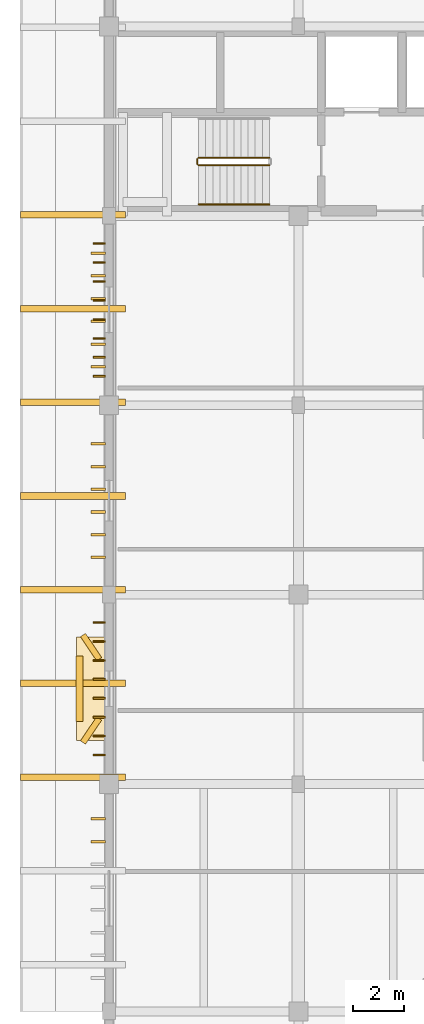
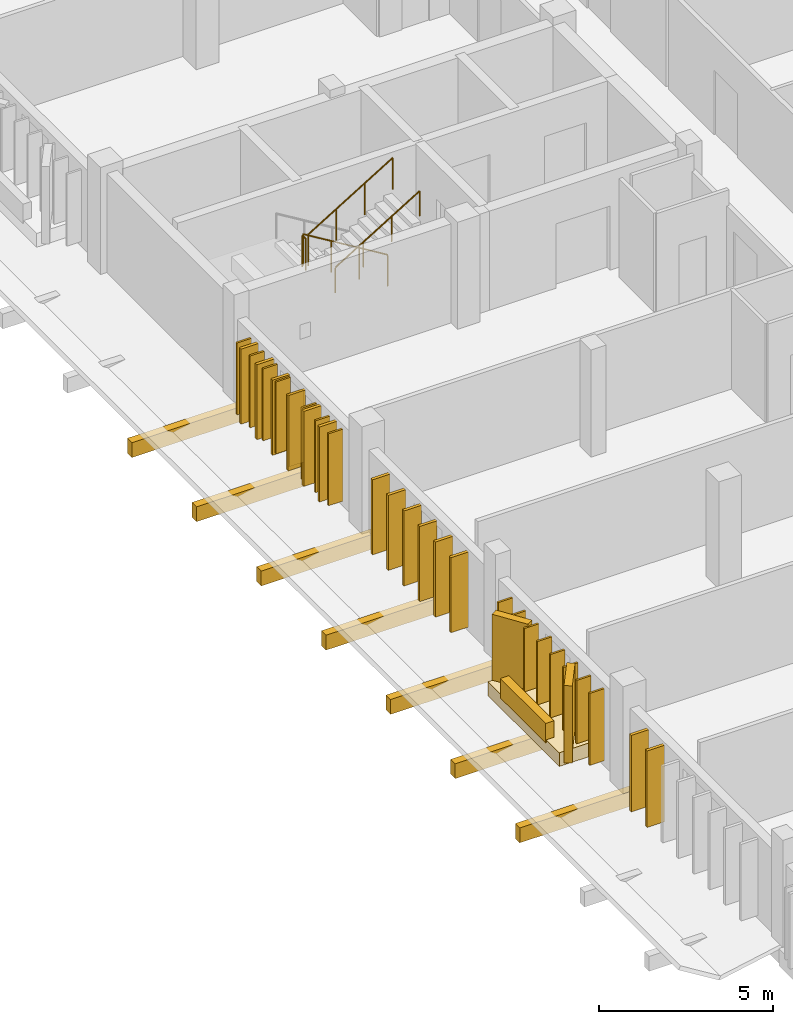
# One storey, part 30 of 43: 25 coverings, 16 shading devices, 4 railings.
"""IFC4 building model written with IfcOpenShell, lengths in metres."""

from ifc_helpers import new_model, si_unit, direction, frame, origin, origin_2d, place, context, subcontext, project, spatial, rectangle, circle, extrude, material, layer, layer_set, type_object, element, save


model = new_model("IFC4")

# Units and contexts
model_context = context("Model", 3, precision=1e-05, world=origin(), true_north=direction((0.0, 1.0)))
body_context = subcontext(model_context, "Body", "Model", "MODEL_VIEW")
ifc_project = project(units=[si_unit("LENGTHUNIT", "METRE"), si_unit("AREAUNIT", "SQUARE_METRE"), si_unit("VOLUMEUNIT", "CUBIC_METRE"), si_unit("PLANEANGLEUNIT", "RADIAN"), si_unit("MASSUNIT", "GRAM", prefix="KILO")], contexts=[model_context])

# Site, building, storey
site_placement = place(None, origin())
site = spatial("IfcSite", under=ifc_project, at=site_placement, CompositionType="ELEMENT")
building_placement = place(site_placement, origin())
building = spatial("IfcBuilding", under=site, at=building_placement, Name="Dalvernix Boulevard General Hospital", CompositionType="ELEMENT")
storey_placement = place(building_placement, frame((0.0, 0.0, 14.10009765625)))
storey = spatial("IfcBuildingStorey", under=building, at=storey_placement, Name="L03", CompositionType="ELEMENT", Elevation=14.10009765625)

# Coverings
ifc_material_1 = material(Name="Polychrome glazed Catalan trencadis ceramic faceted bay spandrel")
ifc_layer_1 = layer(ifc_material_1, 0.280029296875)
ifc_layer_set_1 = layer_set([ifc_layer_1], Name="Polychrome glazed Catalan trencadis ceramic faceted bay spandrel (COV-BAY-01)")
covering_type_1 = type_object("IfcCoveringType", Name="COV-BAY-01", PredefinedType="CLADDING", material=ifc_layer_set_1)
covering_1_placement = place(storey_placement, frame((-1.159912109375, 35.27490234375, 0.3798828125), z_axis=(0.0, 0.0, 1.0), x_axis=(0.0, 1.0, 0.0)))
element("IfcCovering", 1, at=covering_1_placement, inside=storey, type_object=covering_type_1, Name="L03 projecting faceted trencadis bay spandrel W 0-4", PredefinedType="CLADDING", context=body_context, shape_type="SweptSolid", body=[
    extrude(rectangle(XDim=2.60009765625, YDim=0.280029296875, at=origin_2d()), origin(), (0.0, 0.0, 1.0), 0.679931640625),
])
for number, where, z_axis, x_axis, name in (
    (2, (-0.7099609375, 33.625, 0.079833984375), (0.0, 0.0, 1.0), (0.559192903471, 0.829037572555, 0.0), "L03 projecting faceted Catalan bay cheek W 0-4-L"),
    (3, (-0.7099609375, 36.925048828125, 0.079833984375), (0.0, 0.0, 1.0), (-0.559192903471, 0.829037572555, 0.0), "L03 projecting faceted Catalan bay cheek W 0-4-R"),
):
    element("IfcCovering", number, at=place(storey_placement, frame(where, z_axis=z_axis, x_axis=x_axis)), inside=storey, type_object=covering_type_1, Name=name, PredefinedType="CLADDING", context=body_context, shape_type="SweptSolid", body=[
        extrude(rectangle(XDim=1.14990234375, YDim=0.239990234375, at=origin_2d()), origin(), (0.0, 0.0, 1.0), 2.7099609375),
    ])
ifc_material_2 = material(Name="Dressed ochre limestone classical plinth, stringcourse and corbelled cornice", Category="masonry")
ifc_layer_2 = layer(ifc_material_2, 0.449951171875)
ifc_layer_set_2 = layer_set([ifc_layer_2], Name="Dressed ochre limestone classical plinth, stringcourse and corbelled cornice (COV-CRN-01)")
covering_type_2 = type_object("IfcCoveringType", Name="COV-CRN-01", PredefinedType="CLADDING", material=ifc_layer_set_2)
covering_2_placement = place(storey_placement, frame((-0.705078125, 35.27490234375, 0.0), z_axis=(0.0, 0.0, 1.0), x_axis=(0.0, 1.0, 0.0)))
element("IfcCovering", 4, at=covering_2_placement, inside=storey, type_object=covering_type_2, Name="L03 projecting Catalan bay corbel base W 0-4", PredefinedType="CLADDING", context=body_context, shape_type="SweptSolid", body=[
    extrude(rectangle(XDim=4.10009765625, YDim=1.14990234375, at=origin_2d()), origin(), (0.0, 0.0, 1.0), 0.47998046875),
])
ifc_material_3 = material(Name="Terracotta-clad iroko timber brise-soleil sun-breaker fin", Category="masonry")
ifc_layer_3 = layer(ifc_material_3, 0.10009765625)
ifc_layer_set_3 = layer_set([ifc_layer_3], Name="Terracotta-clad iroko timber brise-soleil sun-breaker fin (COV-FIN-02)")
covering_type_3 = type_object("IfcCoveringType", Name="COV-FIN-02", PredefinedType="CLADDING", material=ifc_layer_set_3)
for number, where, z_axis, x_axis, name in (
    (5, (-0.419921875, 29.22509765625, 0.1201171875), (0.0, 0.0, 1.0), (0.0, 1.0, 0.0), "L03 terracotta brise-soleil fin W 0-3-7"),
    (6, (-0.419921875, 30.125, 0.1201171875), (0.0, 0.0, 1.0), (0.0, 1.0, 0.0), "L03 terracotta brise-soleil fin W 0-3-8"),
):
    element("IfcCovering", number, at=place(storey_placement, frame(where, z_axis=z_axis, x_axis=x_axis)), inside=storey, type_object=covering_type_3, Name=name, PredefinedType="CLADDING", context=body_context, shape_type="SweptSolid", body=[
        extrude(rectangle(XDim=0.10009765625, YDim=0.580078125, at=origin_2d()), origin(), (0.0, 0.0, 1.0), 2.679931640625),
    ])
for number, where, z_axis, x_axis, name in (
    (7, (-0.419921875, 40.47509765625, 0.119873046875), (0.0, 0.0, 1.0), (0.0, 1.0, 0.0), "L03 terracotta brise-soleil fin W 0-5-1"),
    (8, (-0.419921875, 41.375, 0.119873046875), (0.0, 0.0, 1.0), (0.0, 1.0, 0.0), "L03 terracotta brise-soleil fin W 0-5-2"),
    (9, (-0.419921875, 42.27490234375, 0.119873046875), (0.0, 0.0, 1.0), (0.0, 1.0, 0.0), "L03 terracotta brise-soleil fin W 0-5-3"),
    (10, (-0.419921875, 43.175048828125, 0.119873046875), (0.0, 0.0, 1.0), (0.0, 1.0, 0.0), "L03 terracotta brise-soleil fin W 0-5-4"),
    (11, (-0.419921875, 44.074951171875, 0.119873046875), (0.0, 0.0, 1.0), (0.0, 1.0, 0.0), "L03 terracotta brise-soleil fin W 0-5-5"),
    (12, (-0.419921875, 44.97509765625, 0.119873046875), (0.0, 0.0, 1.0), (0.0, 1.0, 0.0), "L03 terracotta brise-soleil fin W 0-5-6"),
    (13, (-0.419921875, 48.02490234375, 0.119873046875), (0.0, 0.0, 1.0), (0.0, 1.0, 0.0), "L03 terracotta brise-soleil fin W 0-6-1"),
    (14, (-0.419921875, 48.925048828125, 0.119873046875), (0.0, 0.0, 1.0), (0.0, 1.0, 0.0), "L03 terracotta brise-soleil fin W 0-6-2"),
    (15, (-0.419921875, 49.824951171875, 0.119873046875), (0.0, 0.0, 1.0), (0.0, 1.0, 0.0), "L03 terracotta brise-soleil fin W 0-6-3"),
    (16, (-0.419921875, 50.72509765625, 0.119873046875), (0.0, 0.0, 1.0), (0.0, 1.0, 0.0), "L03 terracotta brise-soleil fin W 0-6-4"),
    (17, (-0.419921875, 51.625, 0.119873046875), (0.0, 0.0, 1.0), (0.0, 1.0, 0.0), "L03 terracotta brise-soleil fin W 0-6-5"),
    (18, (-0.419921875, 52.52490234375, 0.119873046875), (0.0, 0.0, 1.0), (0.0, 1.0, 0.0), "L03 terracotta brise-soleil fin W 0-6-6"),
):
    element("IfcCovering", number, at=place(storey_placement, frame(where, z_axis=z_axis, x_axis=x_axis)), inside=storey, type_object=covering_type_3, Name=name, PredefinedType="CLADDING", context=body_context, shape_type="SweptSolid", body=[
        extrude(rectangle(XDim=0.10009765625, YDim=0.580078125, at=origin_2d()), origin(), (0.0, 0.0, 1.0), 2.6298828125),
    ])
ifc_material_4 = material(Name="Preservative-treated glulam GL28h eave outlooker corbel bracket", Category="wood")
ifc_layer_4 = layer(ifc_material_4, 0.239990234375)
ifc_layer_set_4 = layer_set([ifc_layer_4], Name="Preservative-treated glulam GL28h eave outlooker corbel bracket (COV-OUTLOOK-01)")
covering_type_4 = type_object("IfcCoveringType", Name="COV-OUTLOOK-01", PredefinedType="CLADDING", material=ifc_layer_set_4)
for number, where, z_axis, x_axis, name in (
    (19, (-1.425048828125, 31.7763671875, -0.940185546875), (0.0, 0.0, 1.0), (1.0, 0.0, 0.0), "TIER-V4-WEST glulam eave outlooker corbel W-3"),
    (20, (-1.425048828125, 35.48681640625, -0.940185546875), (0.0, 0.0, 1.0), (1.0, 0.0, 0.0), "TIER-V4-WEST glulam eave outlooker corbel W-4"),
    (21, (-1.425048828125, 39.197509765625, -0.940185546875), (0.0, 0.0, 1.0), (1.0, 0.0, 0.0), "TIER-V4-WEST glulam eave outlooker corbel W-5"),
    (22, (-1.425048828125, 42.907958984375, -0.940185546875), (0.0, 0.0, 1.0), (1.0, 0.0, 0.0), "TIER-V4-WEST glulam eave outlooker corbel W-6"),
    (23, (-1.425048828125, 46.618408203125, -0.940185546875), (0.0, 0.0, 1.0), (1.0, 0.0, 0.0), "TIER-V4-WEST glulam eave outlooker corbel W-7"),
    (24, (-1.425048828125, 50.328857421875, -0.940185546875), (0.0, 0.0, 1.0), (1.0, 0.0, 0.0), "TIER-V4-WEST glulam eave outlooker corbel W-8"),
    (25, (-1.425048828125, 54.03955078125, -0.940185546875), (0.0, 0.0, 1.0), (1.0, 0.0, 0.0), "TIER-V4-WEST glulam eave outlooker corbel W-9"),
):
    element("IfcCovering", number, at=place(storey_placement, frame(where, z_axis=z_axis, x_axis=x_axis)), inside=storey, type_object=covering_type_4, Name=name, PredefinedType="CLADDING", context=body_context, shape_type="SweptSolid", body=[
        extrude(rectangle(XDim=4.14990234375, YDim=0.260009765625, at=origin_2d()), origin(), (0.0, 0.0, 1.0), 0.52001953125),
    ])

# Railings
ifc_material_5 = material(Name="Brushed stainless steel balustrade", Category="steel")
railing_type_1 = type_object("IfcRailingType", Name="RL-GR-INT1", PredefinedType="BALUSTRADE", material=ifc_material_5)
railing_1_placement = place(storey_placement, frame((6.35009765625, 56.300048828125, 0.17041015625)))
element("IfcRailing", 26, at=railing_1_placement, inside=storey, type_object=railing_type_1, Name="L03 ST-02 stair guard 1", PredefinedType="BALUSTRADE", context=body_context, shape_type="SweptSolid", body=[
    extrude(circle(Radius=0.02392578125, at=origin_2d()), frame((0.0, 0.0, 1.09619140625), z_axis=(-0.854169791009, 0.0, 0.51999420009), x_axis=(0.0, -1.0, 0.0)), (0.0, 0.0, 1.0), 3.278076171875),
    extrude(circle(Radius=0.02099609375, at=origin_2d()), origin(), (0.0, 0.0, 1.0), 1.072021484375),
    extrude(circle(Radius=0.02099609375, at=origin_2d()), frame((-0.933349609375, 0.0, 0.568115234375)), (0.0, 0.0, 1.0), 1.072021484375),
    extrude(circle(Radius=0.02099609375, at=origin_2d()), frame((-1.86669921875, 0.0, 1.136474609375)), (0.0, 0.0, 1.0), 1.072021484375),
    extrude(circle(Radius=0.02099609375, at=origin_2d()), frame((-2.800048828125, 0.0, 1.70458984375)), (0.0, 0.0, 1.0), 1.072021484375),
])
railing_2_placement = place(storey_placement, frame((3.5, 56.25, 1.875)))
element("IfcRailing", 27, at=railing_2_placement, inside=storey, type_object=railing_type_1, Name="L03 ST-02 stair guard 2", PredefinedType="BALUSTRADE", context=body_context, shape_type="SweptSolid", body=[
    extrude(circle(Radius=0.02392578125, at=origin_2d()), frame((0.0, 0.0, 1.09619140625), z_axis=(0.0, -1.0, 0.0), x_axis=(1.0, 0.0, 0.0)), (0.0, 0.0, 1.0), 0.199951171875),
    extrude(circle(Radius=0.02099609375, at=origin_2d()), origin(), (0.0, 0.0, 1.0), 1.072021484375),
    extrude(circle(Radius=0.02099609375, at=origin_2d()), frame((0.0, -0.199951171875, 0.0)), (0.0, 0.0, 1.0), 1.072021484375),
])
railing_3_placement = place(storey_placement, frame((3.550048828125, 56.0, 2.04541015625)))
element("IfcRailing", 28, at=railing_3_placement, inside=storey, type_object=railing_type_1, Name="L03 ST-02 stair guard 3", PredefinedType="BALUSTRADE", context=body_context, shape_type="SweptSolid", body=[
    extrude(circle(Radius=0.02392578125, at=origin_2d()), frame((0.0, 0.0, 1.09619140625), z_axis=(0.854169791009, 0.0, 0.51999420009), x_axis=(0.0, 1.0, 0.0)), (0.0, 0.0, 1.0), 3.278076171875),
    extrude(circle(Radius=0.02099609375, at=origin_2d()), origin(), (0.0, 0.0, 1.0), 1.072021484375),
    extrude(circle(Radius=0.02099609375, at=origin_2d()), frame((0.933349609375, 0.0, 0.568115234375)), (0.0, 0.0, 1.0), 1.072021484375),
    extrude(circle(Radius=0.02099609375, at=origin_2d()), frame((1.86669921875, 0.0, 1.136474609375)), (0.0, 0.0, 1.0), 1.072021484375),
    extrude(circle(Radius=0.02099609375, at=origin_2d()), frame((2.800048828125, 0.0, 1.70458984375)), (0.0, 0.0, 1.0), 1.072021484375),
])
ifc_material_6 = material(Name="Brushed stainless steel wall handrail", Category="steel")
railing_type_2 = type_object("IfcRailingType", Name="RL-HR-INT1", PredefinedType="HANDRAIL", material=ifc_material_6)
railing_4_placement = place(storey_placement, frame((3.550048828125, 54.449951171875, 2.04541015625)))
element("IfcRailing", 29, at=railing_4_placement, inside=storey, type_object=railing_type_2, Name="L03 ST-02 stair handrail 2", PredefinedType="HANDRAIL", context=body_context, shape_type="SweptSolid", body=[
    extrude(circle(Radius=0.02392578125, at=origin_2d()), frame((0.0, 0.0, 0.8759765625), z_axis=(0.854169791009, 0.0, 0.51999420009), x_axis=(0.0, 1.0, 0.0)), (0.0, 0.0, 1.0), 3.278076171875),
    extrude(circle(Radius=0.02099609375, at=origin_2d()), origin(), (0.0, 0.0, 1.0), 0.851806640625),
    extrude(circle(Radius=0.02099609375, at=origin_2d()), frame((0.933349609375, 0.0, 0.568115234375)), (0.0, 0.0, 1.0), 0.851806640625),
    extrude(circle(Radius=0.02099609375, at=origin_2d()), frame((1.86669921875, 0.0, 1.136474609375)), (0.0, 0.0, 1.0), 0.851806640625),
    extrude(circle(Radius=0.02099609375, at=origin_2d()), frame((2.800048828125, 0.0, 1.70458984375)), (0.0, 0.0, 1.0), 0.851806640625),
])

# Shading devices
ifc_material_7 = material(Name="Preservative-treated West African iroko timber", Category="wood")
shading_device_type = type_object("IfcShadingDeviceType", Name="SHD-FIN-01", PredefinedType="USERDEFINED", material=ifc_material_7)
for number, where, z_axis, x_axis, name in (
    (30, (-0.3798828125, 32.64990234375, 0.1748046875), (0.0, 0.0, 1.0), (0.0, 1.0, 0.0), "L03 iroko brise-soleil fin 1"),
    (31, (-0.3798828125, 33.39990234375, 0.1748046875), (0.0, 0.0, 1.0), (0.0, 1.0, 0.0), "L03 iroko brise-soleil fin 2"),
    (32, (-0.3798828125, 34.14990234375, 0.1748046875), (0.0, 0.0, 1.0), (0.0, 1.0, 0.0), "L03 iroko brise-soleil fin 3"),
    (33, (-0.3798828125, 34.89990234375, 0.1748046875), (0.0, 0.0, 1.0), (0.0, 1.0, 0.0), "L03 iroko brise-soleil fin 4"),
    (34, (-0.3798828125, 35.64990234375, 0.1748046875), (0.0, 0.0, 1.0), (0.0, 1.0, 0.0), "L03 iroko brise-soleil fin 5"),
    (35, (-0.3798828125, 36.39990234375, 0.1748046875), (0.0, 0.0, 1.0), (0.0, 1.0, 0.0), "L03 iroko brise-soleil fin 6"),
    (36, (-0.3798828125, 37.14990234375, 0.1748046875), (0.0, 0.0, 1.0), (0.0, 1.0, 0.0), "L03 iroko brise-soleil fin 7"),
    (37, (-0.3798828125, 37.89990234375, 0.1748046875), (0.0, 0.0, 1.0), (0.0, 1.0, 0.0), "L03 iroko brise-soleil fin 8"),
    (38, (-0.3798828125, 47.64990234375, 0.1748046875), (0.0, 0.0, 1.0), (0.0, 1.0, 0.0), "L03 iroko brise-soleil fin 1"),
    (39, (-0.3798828125, 48.39990234375, 0.1748046875), (0.0, 0.0, 1.0), (0.0, 1.0, 0.0), "L03 iroko brise-soleil fin 2"),
    (40, (-0.3798828125, 49.14990234375, 0.1748046875), (0.0, 0.0, 1.0), (0.0, 1.0, 0.0), "L03 iroko brise-soleil fin 3"),
    (41, (-0.3798828125, 49.89990234375, 0.1748046875), (0.0, 0.0, 1.0), (0.0, 1.0, 0.0), "L03 iroko brise-soleil fin 4"),
    (42, (-0.3798828125, 50.64990234375, 0.1748046875), (0.0, 0.0, 1.0), (0.0, 1.0, 0.0), "L03 iroko brise-soleil fin 5"),
    (43, (-0.3798828125, 51.39990234375, 0.1748046875), (0.0, 0.0, 1.0), (0.0, 1.0, 0.0), "L03 iroko brise-soleil fin 6"),
    (44, (-0.3798828125, 52.14990234375, 0.1748046875), (0.0, 0.0, 1.0), (0.0, 1.0, 0.0), "L03 iroko brise-soleil fin 7"),
    (45, (-0.3798828125, 52.89990234375, 0.1748046875), (0.0, 0.0, 1.0), (0.0, 1.0, 0.0), "L03 iroko brise-soleil fin 8"),
):
    element("IfcShadingDevice", number, at=place(storey_placement, frame(where, z_axis=z_axis, x_axis=x_axis)), inside=storey, type_object=shading_device_type, Name=name, ObjectType="FIN", PredefinedType="USERDEFINED", context=body_context, shape_type="SweptSolid", body=[
        extrude(rectangle(XDim=0.06494140625, YDim=0.47998046875, at=origin_2d()), origin(), (0.0, 0.0, 1.0), 2.52001953125),
    ])

save(model, "model.ifc")
